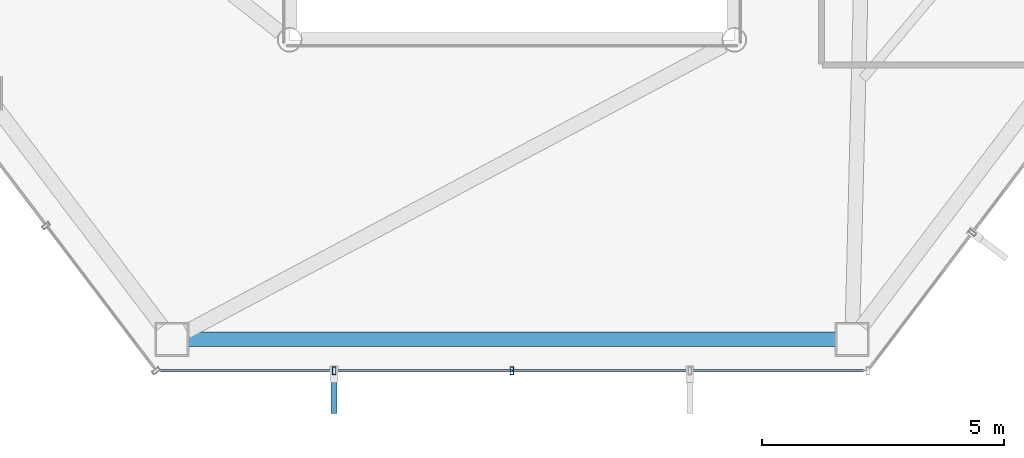
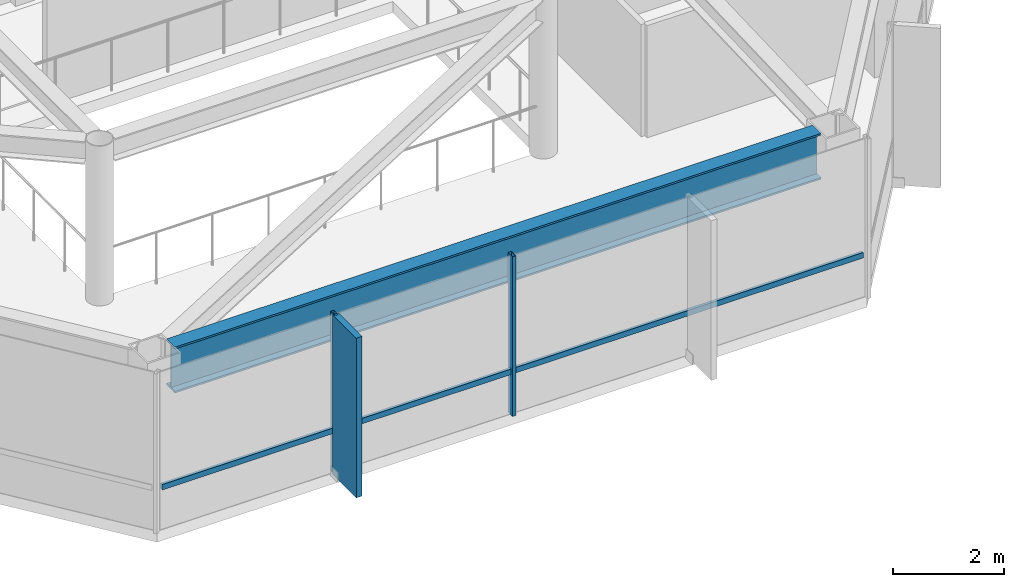
# One storey, part 6 of 27: 4 members, 1 beam, 1 element without a shape of its own.
"""IFC4 building model written with IfcOpenShell, lengths in metres."""

from ifc_helpers import new_model, si_unit, direction, frame, origin, origin_2d, place, context, subcontext, project, spatial, rectangle, hollow_rectangle, i_section, extrude, material, layer, layer_set, material_profile, profile_set, type_object, element, aggregate, save


model = new_model("IFC4")

# Units and contexts
model_context = context("Model", 3, precision=1e-05, world=origin(), true_north=direction((0.0, 1.0)))
body_context = subcontext(model_context, "Body", "Model", "MODEL_VIEW")
ifc_project = project(units=[si_unit("LENGTHUNIT", "METRE"), si_unit("AREAUNIT", "SQUARE_METRE"), si_unit("VOLUMEUNIT", "CUBIC_METRE"), si_unit("PLANEANGLEUNIT", "RADIAN"), si_unit("MASSUNIT", "GRAM", prefix="KILO")], contexts=[model_context])

# Site, building, storey
site_placement = place(None, origin())
site = spatial("IfcSite", under=ifc_project, at=site_placement, CompositionType="ELEMENT")
building_placement = place(site_placement, origin())
building = spatial("IfcBuilding", under=site, at=building_placement, Name="Zarrinselat Tower", CompositionType="ELEMENT")
storey_placement = place(building_placement, frame((0.0, 0.0, 179.52001953125)))
storey = spatial("IfcBuildingStorey", under=building, at=storey_placement, Name="L44", CompositionType="ELEMENT", Elevation=179.52001953125)

# Beam
ifc_material_1 = material(Name="Steel S460M", Category="steel")
ifc_material_profile_1 = material_profile(ifc_material_1, i_section(OverallWidth=0.302001953125, OverallDepth=1.008056640625, WebThickness=0.02099609375, FlangeThickness=0.0400390625, at=origin_2d()), Name="HEM 1000")
ifc_profile_set_1 = profile_set([ifc_material_profile_1], Name="Steel S460M")
beam_type = type_object("IfcBeamType", Name="BM-HEM1000", PredefinedType="BEAM", material=ifc_profile_set_1)
beam_placement = place(storey_placement, frame((31.70263671875, 18.205322265625, 2.99609375), z_axis=(1.0, 0.0, 0.0), x_axis=(0.0, 1.0, 0.0)))
element("IfcBeam", 1, at=beam_placement, inside=storey, type_object=beam_type, Name="L44 Perimeter Spandrel Girder SP10", PredefinedType="BEAM", context=body_context, shape_type="SweptSolid", body=[
    extrude(i_section(OverallWidth=0.302001953125, OverallDepth=1.008056640625, WebThickness=0.02099609375, FlangeThickness=0.0400390625, at=origin_2d()), origin(), (0.0, 0.0, 1.0), 13.394775390625),
])

# Curtain wall, members
ifc_material_2 = material(Name="Extruded Aluminium Alloy EN AW-6063 T6", Category="aluminium")
ifc_layer = layer(ifc_material_2, 0.175048828125)
ifc_layer_set = layer_set([ifc_layer], Name="Extruded Aluminium Alloy EN AW-6063 T6")
curtain_wall_type = type_object("IfcCurtainWallType", Name="CWS-HTL", PredefinedType="NOTDEFINED", material=ifc_layer_set)
curtain_wall_placement = place(storey_placement, origin())
curtain_wall = element("IfcCurtainWall", 2, at=curtain_wall_placement, inside=storey, type_object=curtain_wall_type, Name="L44 Unitised Curtain Wall CW-L44-E04", PredefinedType="NOTDEFINED")
ifc_material_3 = material(Name="Extruded Aluminium Alloy EN AW-6063 T6", Category="aluminium")
ifc_material_profile_2 = material_profile(ifc_material_3, hollow_rectangle(XDim=0.070068359375, YDim=0.159912109375, WallThickness=0.00390625, at=origin_2d()), Name="RHS 160x70x4")
ifc_profile_set_2 = profile_set([ifc_material_profile_2], Name="Extruded Aluminium Alloy EN AW-6063 T6")
member_type_1 = type_object("IfcMemberType", Name="MEM-CW-MUL2", PredefinedType="MULLION", material=ifc_profile_set_2)
member_1_placement = place(storey_placement, frame((34.720703125, 17.555419921875, 0.0), z_axis=(0.0, 0.0, 1.0), x_axis=(1.0, 0.0, 0.0)))
member_1 = element("IfcMember", 3, at=member_1_placement, type_object=member_type_1, Name="CW-L44-E04 Mullion 1", PredefinedType="MULLION", context=body_context, shape_type="SweptSolid", body=[
    extrude(hollow_rectangle(XDim=0.070068359375, YDim=0.159912109375, WallThickness=0.00390625, at=origin_2d()), origin(), (0.0, 0.0, 1.0), 3.5),
])
member_2_placement = place(storey_placement, frame((38.39990234375, 17.555419921875, 0.0), z_axis=(0.0, 0.0, 1.0), x_axis=(1.0, 0.0, 0.0)))
member_2 = element("IfcMember", 4, at=member_2_placement, type_object=member_type_1, Name="CW-L44-E04 Mullion 2", PredefinedType="MULLION", context=body_context, shape_type="SweptSolid", body=[
    extrude(hollow_rectangle(XDim=0.070068359375, YDim=0.159912109375, WallThickness=0.00390625, at=origin_2d()), origin(), (0.0, 0.0, 1.0), 3.5),
])
ifc_material_4 = material(Name="Extruded Aluminium Alloy EN AW-6063 T6", Category="aluminium")
ifc_material_profile_3 = material_profile(ifc_material_4, hollow_rectangle(XDim=0.06005859375, YDim=0.1201171875, WallThickness=0.00390625, at=origin_2d()), Name="RHS 120x60x4")
ifc_profile_set_3 = profile_set([ifc_material_profile_3], Name="Extruded Aluminium Alloy EN AW-6063 T6")
member_type_2 = type_object("IfcMemberType", Name="MEM-CW-TRN2", PredefinedType="USERDEFINED", material=ifc_profile_set_3)
member_3_placement = place(storey_placement, frame((31.131591796875, 17.555419921875, 0.949951171875), z_axis=(1.0, 0.0, 0.0), x_axis=(0.0, 1.0, 0.0)))
member_3 = element("IfcMember", 5, at=member_3_placement, type_object=member_type_2, Name="CW-L44-E04 Transom 1", ObjectType="TRANSOM", PredefinedType="USERDEFINED", context=body_context, shape_type="SweptSolid", body=[
    extrude(hollow_rectangle(XDim=0.06005859375, YDim=0.1201171875, WallThickness=0.00390625, at=origin_2d()), origin(), (0.0, 0.0, 1.0), 14.536865234375),
])
ifc_material_5 = material(Name="Honed Cream Travertine Stone", Category="masonry")
ifc_material_profile_4 = material_profile(ifc_material_5, rectangle(XDim=0.1201171875, YDim=0.85009765625, at=origin_2d()), Name="FIN 850x120")
ifc_profile_set_4 = profile_set([ifc_material_profile_4], Name="Honed Cream Travertine Stone")
member_type_3 = type_object("IfcMemberType", Name="MEM-STONE-FIN", PredefinedType="USERDEFINED", material=ifc_profile_set_4)
member_4_placement = place(storey_placement, frame((34.720703125, 17.09521484375, 0.0), z_axis=(0.0, 0.0, 1.0), x_axis=(-1.0, 0.0, 0.0)))
member_4 = element("IfcMember", 6, at=member_4_placement, type_object=member_type_3, Name="L44 Stone Shading Fin CW-L44-E04-01", ObjectType="FIN", PredefinedType="USERDEFINED", context=body_context, shape_type="SweptSolid", body=[
    extrude(rectangle(XDim=0.1201171875, YDim=0.85009765625, at=origin_2d()), origin(), (0.0, 0.0, 1.0), 3.5),
])
aggregate(curtain_wall, [member_1, member_4, member_2, member_3])

save(model, "model.ifc")
